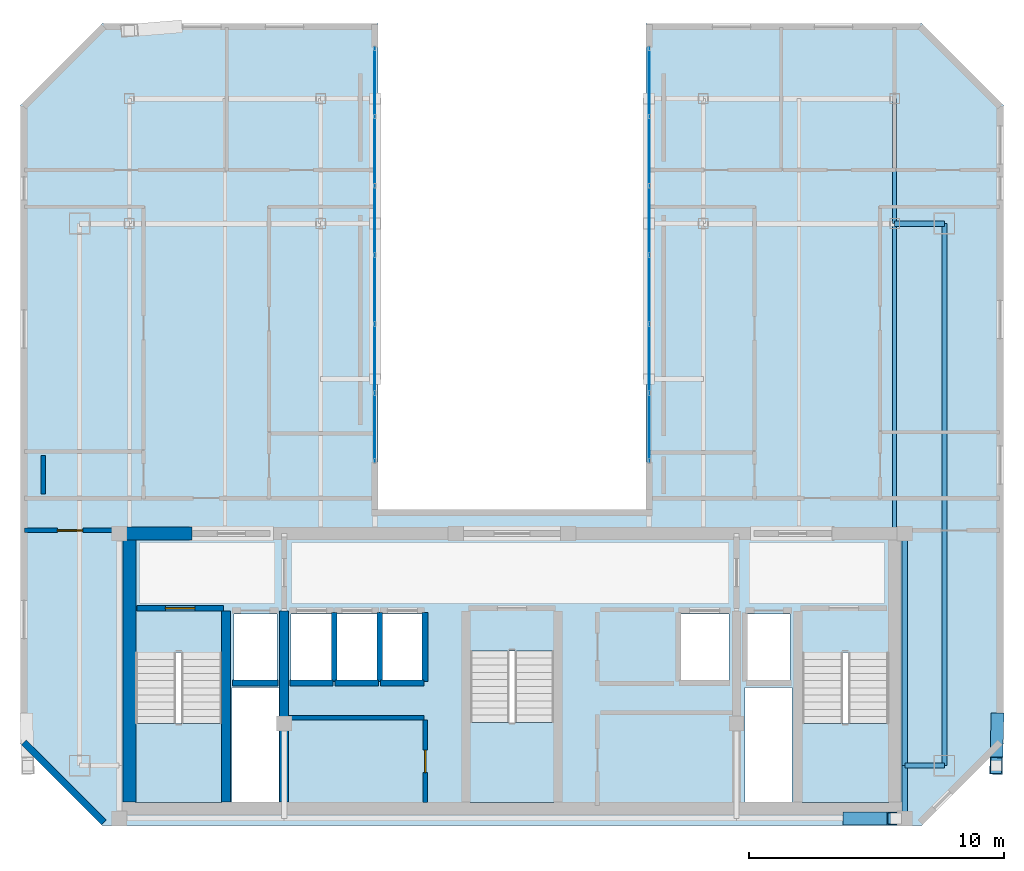
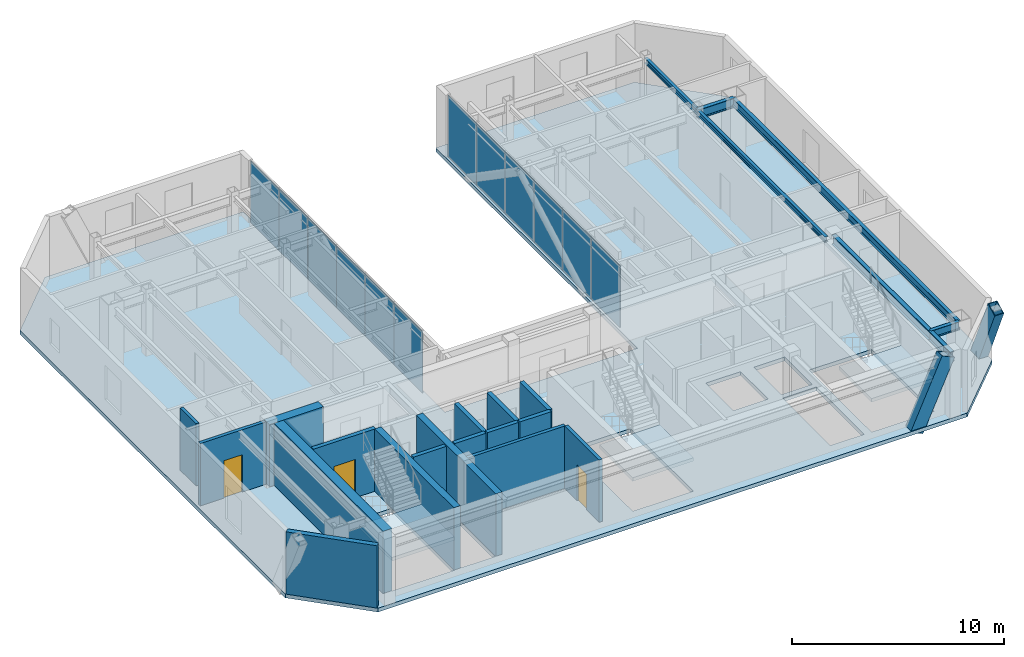
# One storey, part 14 of 19: 17 walls, 12 plates, 7 beams, 4 slabs, 3 doors, 2 members, 3 openings, 5 elements without a shape of their own.
"""IFC4 building model written with IfcOpenShell, lengths in metres."""

from ifc_helpers import new_model, si_unit, direction, frame, frame_2d, origin, origin_2d, place, context, subcontext, project, spatial, polyline, rectangle, hollow_rectangle, i_section, outline, extrude, material, layer, layer_set, material_profile, profile_set, type_object, element, fill, aggregate, save


model = new_model("IFC4")

# Units and contexts
model_context = context("Model", 3, precision=1e-05, world=origin(), true_north=direction((0.0, 1.0)))
body_context = subcontext(model_context, "Body", "Model", "MODEL_VIEW")
ifc_project = project(units=[si_unit("LENGTHUNIT", "METRE"), si_unit("AREAUNIT", "SQUARE_METRE"), si_unit("VOLUMEUNIT", "CUBIC_METRE"), si_unit("PLANEANGLEUNIT", "RADIAN"), si_unit("MASSUNIT", "GRAM", prefix="KILO")], contexts=[model_context])

# Site, building, storey
site_placement = place(None, origin())
site = spatial("IfcSite", under=ifc_project, at=site_placement, CompositionType="ELEMENT")
building_placement = place(site_placement, origin())
building = spatial("IfcBuilding", under=site, at=building_placement, Name="Ventersveld Concourse Tower", CompositionType="ELEMENT")
storey_placement = place(building_placement, frame((0.0, 0.0, 345.199951171875)))
storey = spatial("IfcBuildingStorey", under=building, at=storey_placement, Name="L85", CompositionType="ELEMENT", Elevation=345.199951171875)

# Beams
ifc_material_1 = material(Name="Structural steel S355J2", Category="steel")
ifc_material_profile_1 = material_profile(ifc_material_1, i_section(OverallWidth=0.1650390625, OverallDepth=0.303466796875, WebThickness=0.006103515625, FlangeThickness=0.01025390625, FilletRadius=0.0087890625, at=origin_2d()), Name="UB 305x165x40")
ifc_profile_set_1 = profile_set([ifc_material_profile_1], Name="Structural steel S355J2")
beam_type_1 = type_object("IfcBeamType", Name="BM-UB305", PredefinedType="BEAM", material=ifc_profile_set_1)
beam_1_placement = place(storey_placement, frame((43.75, 11.449951171875, 3.438232421875), z_axis=(0.0, 1.0, 0.0), x_axis=(-1.0, 0.0, 0.0)))
element("IfcBeam", 1, at=beam_1_placement, inside=storey, type_object=beam_type_1, Name="L85 N-S Composite Floor Beam South X=43.75", PredefinedType="BEAM", context=body_context, shape_type="SweptSolid", body=[
    extrude(i_section(OverallWidth=0.1650390625, OverallDepth=0.303466796875, WebThickness=0.006103515625, FlangeThickness=0.01025390625, FilletRadius=0.0087890625, at=origin_2d()), origin(), (0.0, 0.0, 1.0), 12.150146484375),
])
beam_2_placement = place(storey_placement, frame((43.75, 23.60009765625, 3.438232421875), z_axis=(0.0, 1.0, 0.0), x_axis=(-1.0, 0.0, 0.0)))
element("IfcBeam", 2, at=beam_2_placement, inside=storey, type_object=beam_type_1, Name="L85 N-S Upper-Zone Floor Beam X=43.75", PredefinedType="BEAM", context=body_context, shape_type="SweptSolid", body=[
    extrude(i_section(OverallWidth=0.1650390625, OverallDepth=0.303466796875, WebThickness=0.006103515625, FlangeThickness=0.01025390625, FilletRadius=0.0087890625, at=origin_2d()), origin(), (0.0, 0.0, 1.0), 4.89990234375),
])
ifc_material_profile_2 = material_profile(ifc_material_1, i_section(OverallWidth=0.209228515625, OverallDepth=0.533203125, WebThickness=0.010009765625, FlangeThickness=0.015625, FilletRadius=0.0126953125, at=origin_2d()), Name="UB 533x210x92")
ifc_profile_set_2 = profile_set([ifc_material_profile_2], Name="Structural steel S355J2")
beam_type_2 = type_object("IfcBeamType", Name="GRD-UB533", PredefinedType="T_BEAM", material=ifc_profile_set_2)
beam_3_placement = place(storey_placement, frame((43.75, 23.60009765625, 3.323486328125), z_axis=(1.0, 0.0, 0.0), x_axis=(0.0, 1.0, 0.0)))
element("IfcBeam", 3, at=beam_3_placement, inside=storey, type_object=beam_type_2, Name="L85 Primary E-W Grid Girder Y=23.60 #5", PredefinedType="T_BEAM", context=body_context, shape_type="SweptSolid", body=[
    extrude(i_section(OverallWidth=0.209228515625, OverallDepth=0.533203125, WebThickness=0.010009765625, FlangeThickness=0.015625, FilletRadius=0.0126953125, at=origin_2d()), origin(), (0.0, 0.0, 1.0), 1.949951171875),
])
ifc_material_profile_3 = material_profile(ifc_material_1, i_section(OverallWidth=0.2119140625, OverallDepth=0.54443359375, WebThickness=0.0126953125, FlangeThickness=0.021240234375, FilletRadius=0.0126953125, at=origin_2d()), Name="UB 533x210x122")
ifc_profile_set_3 = profile_set([ifc_material_profile_3], Name="Structural steel S355J2")
beam_type_3 = type_object("IfcBeamType", Name="GRD-UB533H", PredefinedType="T_BEAM", material=ifc_profile_set_3)
beam_4_placement = place(storey_placement, frame((44.14990234375, 0.280029296875, 3.31787109375), z_axis=(0.0, 1.0, 0.0), x_axis=(-1.0, 0.0, 0.0)))
element("IfcBeam", 4, at=beam_4_placement, inside=storey, type_object=beam_type_3, Name="L85 Core East Tie Beam S", PredefinedType="T_BEAM", context=body_context, shape_type="SweptSolid", body=[
    extrude(i_section(OverallWidth=0.2119140625, OverallDepth=0.54443359375, WebThickness=0.0126953125, FlangeThickness=0.021240234375, FilletRadius=0.0126953125, at=origin_2d()), origin(), (0.0, 0.0, 1.0), 2.070068359375),
])
beam_5_placement = place(storey_placement, frame((44.14990234375, 2.35009765625, 3.31787109375), z_axis=(0.0, 1.0, 0.0), x_axis=(-1.0, 0.0, 0.0)))
element("IfcBeam", 5, at=beam_5_placement, inside=storey, type_object=beam_type_3, Name="L85 Core East Tie Beam N", PredefinedType="T_BEAM", context=body_context, shape_type="SweptSolid", body=[
    extrude(i_section(OverallWidth=0.2119140625, OverallDepth=0.54443359375, WebThickness=0.0126953125, FlangeThickness=0.021240234375, FilletRadius=0.0126953125, at=origin_2d()), origin(), (0.0, 0.0, 1.0), 9.099853515625),
])

# Members
ifc_material_2 = material(Name="Structural steel S355ML", Category="steel")
ifc_material_profile_4 = material_profile(ifc_material_2, hollow_rectangle(XDim=0.5, YDim=0.75, WallThickness=0.034912109375, at=origin_2d()), Name="BOX 750x500x35")
ifc_profile_set_4 = profile_set([ifc_material_profile_4], Name="Structural steel S355ML")
member_type = type_object("IfcMemberType", Name="MB-750x500", PredefinedType="BRACE", material=ifc_profile_set_4)
member_1_placement = place(storey_placement, frame((42.076171875, 0.280029296875, -0.219970703125), z_axis=(0.412223254822, 0.0, 0.911082865706), x_axis=(0.0, 1.0, 0.0)))
element("IfcMember", 6, at=member_1_placement, inside=storey, type_object=member_type, Name="L85 Exterior Mega-Brace S (Module M20)", PredefinedType="BRACE", context=body_context, shape_type="SweptSolid", body=[
    extrude(hollow_rectangle(XDim=0.5, YDim=0.75, WallThickness=0.034912109375, at=origin_2d()), origin(), (0.0, 0.0, 1.0), 4.181884765625),
])
member_2_placement = place(storey_placement, frame((47.7783203125, 4.073974609375, -0.219970703125), z_axis=(-0.011675262949, -0.412195158425, 0.911020767934), x_axis=(0.99959909973, -0.028313244575, 0.0)))
element("IfcMember", 7, at=member_2_placement, inside=storey, type_object=member_type, Name="L85 Exterior Mega-Brace E (Module M20)", PredefinedType="BRACE", context=body_context, shape_type="SweptSolid", body=[
    extrude(hollow_rectangle(XDim=0.5, YDim=0.75, WallThickness=0.034912109375, at=origin_2d()), origin(), (0.0, 0.0, 1.0), 4.18212890625),
])

# Beams
ifc_material_profile_5 = material_profile(ifc_material_1, i_section(OverallWidth=0.19140625, OverallDepth=0.4599609375, WebThickness=0.010009765625, FlangeThickness=0.01611328125, FilletRadius=0.01025390625, at=origin_2d()), Name="UB 457x191x82")
ifc_profile_set_5 = profile_set([ifc_material_profile_5], Name="Structural steel S355J2")
beam_type_4 = type_object("IfcBeamType", Name="SPD-UB457", PredefinedType="SPANDREL", material=ifc_profile_set_5)
beam_6_placement = place(storey_placement, frame((44.14990234375, 2.35009765625, 3.360107421875), z_axis=(1.0, 0.0, 0.0), x_axis=(0.0, 1.0, 0.0)))
element("IfcBeam", 8, at=beam_6_placement, inside=storey, type_object=beam_type_4, Name="L85 SE Spandrel Beam", PredefinedType="SPANDREL", context=body_context, shape_type="SweptSolid", body=[
    extrude(i_section(OverallWidth=0.19140625, OverallDepth=0.4599609375, WebThickness=0.010009765625, FlangeThickness=0.01611328125, FilletRadius=0.01025390625, at=origin_2d()), origin(), (0.0, 0.0, 1.0), 1.550048828125),
])
beam_7_placement = place(storey_placement, frame((45.699951171875, 2.35009765625, 3.360107421875), z_axis=(0.0, 1.0, 0.0), x_axis=(-1.0, 0.0, 0.0)))
element("IfcBeam", 9, at=beam_7_placement, inside=storey, type_object=beam_type_4, Name="L85 East Spandrel Beam", PredefinedType="SPANDREL", context=body_context, shape_type="SweptSolid", body=[
    extrude(i_section(OverallWidth=0.19140625, OverallDepth=0.4599609375, WebThickness=0.010009765625, FlangeThickness=0.01611328125, FilletRadius=0.01025390625, at=origin_2d()), origin(), (0.0, 0.0, 1.0), 21.25),
])

# Curtain wall, plates
ifc_material_3 = material(Name="Anodised aluminium EN AW-6063-T6", Category="aluminium")
curtain_wall_type = type_object("IfcCurtainWallType", Name="CW-WP-5", PredefinedType="NOTDEFINED", material=ifc_material_3)
curtain_wall_1_placement = place(storey_placement, origin())
curtain_wall_1 = element("IfcCurtainWall", 10, at=curtain_wall_1_placement, inside=storey, type_object=curtain_wall_type, Name="L85 L85 Wind Portal Aerodynamic Cheek Curtain Wall", PredefinedType="NOTDEFINED")
ifc_material_4 = material(Name="Low-E double glazing IGU", Category="glass")
ifc_layer_1 = layer(ifc_material_4, 0.0380859375)
ifc_layer_set_1 = layer_set([ifc_layer_1], Name="Low-E double glazing IGU")
plate_type = type_object("IfcPlateType", Name="CWP-GLZ-38", PredefinedType="CURTAIN_PANEL", material=ifc_layer_set_1)
plate_1_placement = place(storey_placement, frame((34.1298828125, 15.6044921875, 0.02001953125), z_axis=(0.0, 0.0, 1.0), x_axis=(0.0, 1.0, 0.0)))
plate_1 = element("IfcPlate", 11, at=plate_1_placement, type_object=plate_type, Name="CW-L85-WP-E Glazed Panel 01-1", PredefinedType="CURTAIN_PANEL", context=body_context, shape_type="SweptSolid", body=[
    extrude(rectangle(XDim=2.69873046875, YDim=0.0380859375, at=origin_2d()), origin(), (0.0, 0.0, 1.0), 3.550048828125),
])
plate_2_placement = place(storey_placement, frame((34.1298828125, 18.31298828125, 0.02001953125), z_axis=(0.0, 0.0, 1.0), x_axis=(0.0, 1.0, 0.0)))
plate_2 = element("IfcPlate", 12, at=plate_2_placement, type_object=plate_type, Name="CW-L85-WP-E Glazed Panel 02-1", PredefinedType="CURTAIN_PANEL", context=body_context, shape_type="SweptSolid", body=[
    extrude(rectangle(XDim=2.69873046875, YDim=0.0380859375, at=origin_2d()), origin(), (0.0, 0.0, 1.0), 3.550048828125),
])
plate_3_placement = place(storey_placement, frame((34.1298828125, 21.02197265625, 0.02001953125), z_axis=(0.0, 0.0, 1.0), x_axis=(0.0, 1.0, 0.0)))
plate_3 = element("IfcPlate", 13, at=plate_3_placement, type_object=plate_type, Name="CW-L85-WP-E Glazed Panel 03-1", PredefinedType="CURTAIN_PANEL", context=body_context, shape_type="SweptSolid", body=[
    extrude(rectangle(XDim=2.69873046875, YDim=0.0380859375, at=origin_2d()), origin(), (0.0, 0.0, 1.0), 3.550048828125),
])
plate_4_placement = place(storey_placement, frame((34.1298828125, 23.730712890625, 0.02001953125), z_axis=(0.0, 0.0, 1.0), x_axis=(0.0, 1.0, 0.0)))
plate_4 = element("IfcPlate", 14, at=plate_4_placement, type_object=plate_type, Name="CW-L85-WP-E Glazed Panel 04-1", PredefinedType="CURTAIN_PANEL", context=body_context, shape_type="SweptSolid", body=[
    extrude(rectangle(XDim=2.69873046875, YDim=0.0380859375, at=origin_2d()), origin(), (0.0, 0.0, 1.0), 3.550048828125),
])
plate_5_placement = place(storey_placement, frame((34.1298828125, 26.439453125, 0.02001953125), z_axis=(0.0, 0.0, 1.0), x_axis=(0.0, 1.0, 0.0)))
plate_5 = element("IfcPlate", 15, at=plate_5_placement, type_object=plate_type, Name="CW-L85-WP-E Glazed Panel 05-1", PredefinedType="CURTAIN_PANEL", context=body_context, shape_type="SweptSolid", body=[
    extrude(rectangle(XDim=2.69873046875, YDim=0.0380859375, at=origin_2d()), origin(), (0.0, 0.0, 1.0), 3.550048828125),
])
plate_6_placement = place(storey_placement, frame((34.1298828125, 29.148193359375, 0.02001953125), z_axis=(0.0, 0.0, 1.0), x_axis=(0.0, 1.0, 0.0)))
plate_6 = element("IfcPlate", 16, at=plate_6_placement, type_object=plate_type, Name="CW-L85-WP-E Glazed Panel 06-1", PredefinedType="CURTAIN_PANEL", context=body_context, shape_type="SweptSolid", body=[
    extrude(rectangle(XDim=2.69873046875, YDim=0.0380859375, at=origin_2d()), origin(), (0.0, 0.0, 1.0), 3.550048828125),
])
aggregate(curtain_wall_1, [plate_1, plate_2, plate_3, plate_4, plate_5, plate_6])

curtain_wall_2_placement = place(storey_placement, origin())
curtain_wall_2 = element("IfcCurtainWall", 17, at=curtain_wall_2_placement, inside=storey, type_object=curtain_wall_type, Name="L85 L85 Wind Portal Aerodynamic Cheek Curtain Wall", PredefinedType="NOTDEFINED")
plate_7_placement = place(storey_placement, frame((23.3701171875, 15.6044921875, 0.02001953125), z_axis=(0.0, 0.0, 1.0), x_axis=(0.0, 1.0, 0.0)))
plate_7 = element("IfcPlate", 18, at=plate_7_placement, type_object=plate_type, Name="CW-L85-WP-W Glazed Panel 01-1", PredefinedType="CURTAIN_PANEL", context=body_context, shape_type="SweptSolid", body=[
    extrude(rectangle(XDim=2.69873046875, YDim=0.0380859375, at=origin_2d()), origin(), (0.0, 0.0, 1.0), 3.550048828125),
])
plate_8_placement = place(storey_placement, frame((23.3701171875, 18.31298828125, 0.02001953125), z_axis=(0.0, 0.0, 1.0), x_axis=(0.0, 1.0, 0.0)))
plate_8 = element("IfcPlate", 19, at=plate_8_placement, type_object=plate_type, Name="CW-L85-WP-W Glazed Panel 02-1", PredefinedType="CURTAIN_PANEL", context=body_context, shape_type="SweptSolid", body=[
    extrude(rectangle(XDim=2.69873046875, YDim=0.0380859375, at=origin_2d()), origin(), (0.0, 0.0, 1.0), 3.550048828125),
])
plate_9_placement = place(storey_placement, frame((23.3701171875, 21.02197265625, 0.02001953125), z_axis=(0.0, 0.0, 1.0), x_axis=(0.0, 1.0, 0.0)))
plate_9 = element("IfcPlate", 20, at=plate_9_placement, type_object=plate_type, Name="CW-L85-WP-W Glazed Panel 03-1", PredefinedType="CURTAIN_PANEL", context=body_context, shape_type="SweptSolid", body=[
    extrude(rectangle(XDim=2.69873046875, YDim=0.0380859375, at=origin_2d()), origin(), (0.0, 0.0, 1.0), 3.550048828125),
])
plate_10_placement = place(storey_placement, frame((23.3701171875, 23.730712890625, 0.02001953125), z_axis=(0.0, 0.0, 1.0), x_axis=(0.0, 1.0, 0.0)))
plate_10 = element("IfcPlate", 21, at=plate_10_placement, type_object=plate_type, Name="CW-L85-WP-W Glazed Panel 04-1", PredefinedType="CURTAIN_PANEL", context=body_context, shape_type="SweptSolid", body=[
    extrude(rectangle(XDim=2.69873046875, YDim=0.0380859375, at=origin_2d()), origin(), (0.0, 0.0, 1.0), 3.550048828125),
])
plate_11_placement = place(storey_placement, frame((23.3701171875, 26.439453125, 0.02001953125), z_axis=(0.0, 0.0, 1.0), x_axis=(0.0, 1.0, 0.0)))
plate_11 = element("IfcPlate", 22, at=plate_11_placement, type_object=plate_type, Name="CW-L85-WP-W Glazed Panel 05-1", PredefinedType="CURTAIN_PANEL", context=body_context, shape_type="SweptSolid", body=[
    extrude(rectangle(XDim=2.69873046875, YDim=0.0380859375, at=origin_2d()), origin(), (0.0, 0.0, 1.0), 3.550048828125),
])
plate_12_placement = place(storey_placement, frame((23.3701171875, 29.148193359375, 0.02001953125), z_axis=(0.0, 0.0, 1.0), x_axis=(0.0, 1.0, 0.0)))
plate_12 = element("IfcPlate", 23, at=plate_12_placement, type_object=plate_type, Name="CW-L85-WP-W Glazed Panel 06-1", PredefinedType="CURTAIN_PANEL", context=body_context, shape_type="SweptSolid", body=[
    extrude(rectangle(XDim=2.69873046875, YDim=0.0380859375, at=origin_2d()), origin(), (0.0, 0.0, 1.0), 3.550048828125),
])
aggregate(curtain_wall_2, [plate_7, plate_8, plate_9, plate_10, plate_11, plate_12])

# Slab
ifc_material_5 = material(Name="Concrete C50/60", Category="concrete")
ifc_layer_2 = layer(ifc_material_5, 0.219970703125)
ifc_layer_set_2 = layer_set([ifc_layer_2], Name="Concrete C50/60")
slab_type_1 = type_object("IfcSlabType", Name="SL-FLR-220", PredefinedType="FLOOR", material=ifc_layer_set_2)
slab_1_placement = place(storey_placement, frame((0.0, 0.0, -0.219970703125)))
element("IfcSlab", 24, at=slab_1_placement, inside=storey, type_object=slab_type_1, Name="L85 Composite Floor Slab", PredefinedType="FLOOR", context=body_context, shape_type="SweptSolid", body=[
    extrude(outline(polyline([(12.690673828125, 0.0), (44.809326171875, 0.0), (48.009521484375, 3.199951171875), (48.009521484375, 28.242431640625), (44.809326171875, 31.4423828125), (34.0, 31.4423828125), (34.0, 12.39990234375), (23.5, 12.39990234375), (23.5, 31.4423828125), (12.690673828125, 31.4423828125), (9.490478515625, 28.242431640625), (9.490478515625, 3.199951171875), (12.690673828125, 0.0)]), holes=[polyline([(13.97998046875, 6.794921875), (13.97998046875, 0.89990234375), (17.3798828125, 0.89990234375), (17.3798828125, 6.794921875), (13.97998046875, 6.794921875)]), polyline([(40.1201171875, 6.794921875), (40.1201171875, 0.89990234375), (43.52001953125, 0.89990234375), (43.52001953125, 6.794921875), (40.1201171875, 6.794921875)]), polyline([(27.10009765625, 6.844970703125), (27.10009765625, 0.89990234375), (30.39990234375, 0.89990234375), (30.39990234375, 6.844970703125), (27.10009765625, 6.844970703125)]), polyline([(17.85009765625, 5.699951171875), (19.530029296875, 5.699951171875), (19.530029296875, 8.300048828125), (17.85009765625, 8.300048828125), (17.85009765625, 5.699951171875)]), polyline([(37.969970703125, 5.699951171875), (39.64990234375, 5.699951171875), (39.64990234375, 8.300048828125), (37.969970703125, 8.300048828125), (37.969970703125, 5.699951171875)]), polyline([(35.35009765625, 5.699951171875), (37.25, 5.699951171875), (37.25, 8.300048828125), (35.35009765625, 8.300048828125), (35.35009765625, 5.699951171875)]), polyline([(20.090087890625, 5.699951171875), (21.68994140625, 5.699951171875), (21.68994140625, 8.300048828125), (20.090087890625, 8.300048828125), (20.090087890625, 5.699951171875)]), polyline([(21.8701171875, 5.699951171875), (23.469970703125, 5.699951171875), (23.469970703125, 8.300048828125), (21.8701171875, 8.300048828125), (21.8701171875, 5.699951171875)]), polyline([(23.64990234375, 5.699951171875), (25.25, 5.699951171875), (25.25, 8.300048828125), (23.64990234375, 8.300048828125), (23.64990234375, 5.699951171875)]), polyline([(17.780029296875, 0.919921875), (19.6201171875, 0.919921875), (19.6201171875, 5.419921875), (17.780029296875, 5.419921875), (17.780029296875, 0.919921875)]), polyline([(37.8798828125, 0.919921875), (39.719970703125, 0.919921875), (39.719970703125, 5.419921875), (37.8798828125, 5.419921875), (37.8798828125, 0.919921875)])]), origin(), (0.0, 0.0, 1.0), 0.219970703125),
])

# Stair, slab
stair_type_1 = type_object("IfcStairType", Name="ST-DOG-160", PredefinedType="HALF_TURN_STAIR", material=ifc_material_5)
stair_1_placement = place(storey_placement, origin())
stair_1 = element("IfcStair", 25, at=stair_1_placement, inside=storey, type_object=stair_type_1, Name="L85 Protected Tower Escape Stair ST-01", PredefinedType="HALF_TURN_STAIR")
ifc_layer_3 = layer(ifc_material_5, 0.199951171875)
ifc_layer_set_3 = layer_set([ifc_layer_3], Name="Concrete C50/60")
slab_type_2 = type_object("IfcSlabType", Name="SL-LND-200", PredefinedType="LANDING", material=ifc_layer_set_3)
slab_2_placement = place(storey_placement, frame((0.0, 0.0, 1.72509765625)))
slab_2 = element("IfcSlab", 26, at=slab_2_placement, type_object=slab_type_2, Name="ST-01 landing 1", PredefinedType="LANDING", context=body_context, shape_type="SweptSolid", body=[
    extrude(outline(polyline([(13.97998046875, 4.0), (13.97998046875, 0.89990234375), (17.3798828125, 0.89990234375), (17.3798828125, 4.0), (13.97998046875, 4.0)])), origin(), (0.0, 0.0, 1.0), 0.199951171875),
])
aggregate(stair_1, [slab_2])

stair_2_placement = place(storey_placement, origin())
stair_2 = element("IfcStair", 27, at=stair_2_placement, inside=storey, type_object=stair_type_1, Name="L85 Protected Tower Escape Stair ST-02", PredefinedType="HALF_TURN_STAIR")
slab_3_placement = place(storey_placement, frame((0.0, 0.0, 1.72509765625)))
slab_3 = element("IfcSlab", 28, at=slab_3_placement, type_object=slab_type_2, Name="ST-02 landing 1", PredefinedType="LANDING", context=body_context, shape_type="SweptSolid", body=[
    extrude(outline(polyline([(40.1201171875, 4.0), (40.1201171875, 0.89990234375), (43.52001953125, 0.89990234375), (43.52001953125, 4.0), (40.1201171875, 4.0)])), origin(), (0.0, 0.0, 1.0), 0.199951171875),
])
aggregate(stair_2, [slab_3])

stair_type_2 = type_object("IfcStairType", Name="ST-DOG-155", PredefinedType="HALF_TURN_STAIR", material=ifc_material_5)
stair_3_placement = place(storey_placement, origin())
stair_3 = element("IfcStair", 29, at=stair_3_placement, inside=storey, type_object=stair_type_2, Name="L85 Protected Central Core Escape Stair ST-03", PredefinedType="HALF_TURN_STAIR")
slab_4_placement = place(storey_placement, frame((0.0, 0.0, 1.72509765625)))
slab_4 = element("IfcSlab", 30, at=slab_4_placement, type_object=slab_type_2, Name="ST-03 landing 1", PredefinedType="LANDING", context=body_context, shape_type="SweptSolid", body=[
    extrude(outline(polyline([(27.10009765625, 4.050048828125), (27.10009765625, 0.89990234375), (30.39990234375, 0.89990234375), (30.39990234375, 4.050048828125), (27.10009765625, 4.050048828125)])), origin(), (0.0, 0.0, 1.0), 0.199951171875),
])
aggregate(stair_3, [slab_4])

# Walls
ifc_layer_4 = layer(ifc_material_5, 0.35009765625)
ifc_layer_set_4 = layer_set([ifc_layer_4], Name="Concrete C50/60")
wall_type_1 = type_object("IfcWallType", Name="WL-CORE-350U", PredefinedType="SHEAR", material=ifc_layer_set_4)
for number, where, z_axis, x_axis, name in (
    (31, (17.5400390625, 0.919921875, 0.0), (0.0, 0.0, 1.0), (0.0, 1.0, 0.0), "L85 Core Internal Shear Web W-ST1-E"),
    (32, (19.820068359375, 0.919921875, 0.0), (0.0, 0.0, 1.0), (0.0, 1.0, 0.0), "L85 Core Internal Shear Web W-FF1-E"),
):
    element("IfcWall", number, at=place(storey_placement, frame(where, z_axis=z_axis, x_axis=x_axis)), inside=storey, type_object=wall_type_1, Name=name, PredefinedType="SHEAR", context=body_context, shape_type="SweptSolid", body=[
        extrude(rectangle(XDim=7.5, YDim=0.35009765625, at=frame_2d((3.75, 0.0))), origin(), (0.0, 0.0, 1.0), 3.590087890625),
    ])
ifc_layer_5 = layer(ifc_material_5, 0.5)
ifc_layer_set_5 = layer_set([ifc_layer_5], Name="Concrete C50/60")
wall_type_2 = type_object("IfcWallType", Name="WL-CORE-500", PredefinedType="SHEAR", material=ifc_layer_set_5)
wall_1_placement = place(storey_placement, frame((13.75, 0.919921875, 0.0), z_axis=(0.0, 0.0, 1.0), x_axis=(0.0, 1.0, 0.0)))
element("IfcWall", 33, at=wall_1_placement, inside=storey, type_object=wall_type_2, Name="L85 Rear Core West Shear Wall", PredefinedType="SHEAR", context=body_context, shape_type="SweptSolid", body=[
    extrude(rectangle(XDim=10.530029296875, YDim=0.5, at=frame_2d((5.26513671875, 0.0))), origin(), (0.0, 0.0, 1.0), 3.590087890625),
])
wall_2_placement = place(storey_placement, frame((13.25, 11.449951171875, 0.0), z_axis=(0.0, 0.0, 1.0), x_axis=(1.0, 0.0, 0.0)))
element("IfcWall", 34, at=wall_2_placement, inside=storey, type_object=wall_type_2, Name="L85 Rear Core North Shear Wall NW", PredefinedType="SHEAR", context=body_context, shape_type="SweptSolid", body=[
    extrude(rectangle(XDim=2.949951171875, YDim=0.5, at=frame_2d((1.47509765625, 0.0))), origin(), (0.0, 0.0, 1.0), 3.590087890625),
])

# Wall, opening, door
ifc_material_6 = material(Name="Fire-rated autoclaved aerated masonry blockwork", Category="masonry")
ifc_layer_6 = layer(ifc_material_6, 0.179931640625)
ifc_layer_set_6 = layer_set([ifc_layer_6], Name="Fire-rated autoclaved aerated masonry blockwork")
wall_type_3 = type_object("IfcWallType", Name="WL-CORR-180", PredefinedType="PARTITIONING", material=ifc_layer_set_6)
wall_3_placement = place(storey_placement, frame((25.35009765625, 0.89990234375, 0.0), z_axis=(0.0, 0.0, 1.0), x_axis=(0.0, 1.0, 0.0)))
wall_3 = element("IfcWall", 35, at=wall_3_placement, inside=storey, type_object=wall_type_3, Name="L85 Core Passage Wall SP-L85-RECB1A", PredefinedType="PARTITIONING", context=body_context, shape_type="SweptSolid", body=[
    extrude(rectangle(XDim=3.239990234375, YDim=0.179931640625, at=frame_2d((1.6201171875, 0.0))), origin(), (0.0, 0.0, 1.0), 3.590087890625),
])
opening_1_placement = place(wall_3_placement, frame((1.179931640625, 0.0, 0.0)))
opening_1 = element("IfcOpeningElement", 36, at=opening_1_placement, cuts=wall_3, Name="Opening FD5", PredefinedType="OPENING", context=body_context, shape_type="SweptSolid", body=[
    extrude(rectangle(XDim=0.8798828125, YDim=2.050048828125, at=frame_2d((0.43994140625, 1.02490234375))), frame((0.0, 0.10009765625, 0.0), z_axis=(0.0, -1.0, 0.0), x_axis=(1.0, 0.0, 0.0)), (0.0, 0.0, 1.0), 0.199951171875),
])
ifc_material_7 = material(Name="Galvanised painted steel", Category="steel")
door_type_1 = type_object("IfcDoorType", Name="DR-RISER-088", OperationType="NOTDEFINED", PredefinedType="DOOR", material=ifc_material_7)
door_1_placement = place(opening_1_placement, origin())
door_1 = element("IfcDoor", 37, at=door_1_placement, inside=storey, type_object=door_type_1, Name="L85 Core Room Door L85 Reclaimed Core Quiet Study Pod (CD-L85-3808)", OperationType="SINGLE_SWING_LEFT", OverallHeight=2.050048828125, OverallWidth=0.8798828125, PredefinedType="DOOR", context=body_context, shape_type="SweptSolid", body=[
    extrude(rectangle(XDim=0.8798828125, YDim=2.050048828125, at=frame_2d((0.43994140625, 1.02490234375))), frame((0.0, 0.02490234375, 0.0), z_axis=(0.0, -1.0, 0.0), x_axis=(1.0, 0.0, 0.0)), (0.0, 0.0, 1.0), 0.050048828125),
])
fill(opening_1, door_1)

# Wall
wall_4_placement = place(storey_placement, frame((19.97998046875, 4.22998046875, 0.0), z_axis=(0.0, 0.0, 1.0), x_axis=(1.0, 0.0, 0.0)))
element("IfcWall", 38, at=wall_4_placement, inside=storey, type_object=wall_type_3, Name="L85 Core Top Wall SP-L85-RECB1A", PredefinedType="PARTITIONING", context=body_context, shape_type="SweptSolid", body=[
    extrude(rectangle(XDim=5.320068359375, YDim=0.179931640625, at=frame_2d((2.66015625, 0.0))), origin(), (0.0, 0.0, 1.0), 3.590087890625),
])

# Wall, opening, door
wall_5_placement = place(storey_placement, frame((9.64013671875, 11.570068359375, 0.0), z_axis=(0.0, 0.0, 1.0), x_axis=(1.0, 0.0, 0.0)))
wall_5 = element("IfcWall", 39, at=wall_5_placement, inside=storey, type_object=wall_type_3, Name="L85 Interior Partition SP-L85-COR-W-SP-L85-SWSTU", PredefinedType="PARTITIONING", context=body_context, shape_type="SweptSolid", body=[
    extrude(rectangle(XDim=3.574951171875, YDim=0.179931640625, at=frame_2d((1.78759765625, 0.0))), origin(), (0.0, 0.0, 1.0), 3.590087890625),
])
opening_2_placement = place(wall_5_placement, frame((1.287353515625, 0.0, 0.0)))
opening_2 = element("IfcOpeningElement", 40, at=opening_2_placement, cuts=wall_5, Name="Opening FD3", PredefinedType="OPENING", context=body_context, shape_type="SweptSolid", body=[
    extrude(rectangle(XDim=1.0, YDim=2.14990234375, at=frame_2d((0.5, 1.074951171875))), frame((0.0, 0.10009765625, 0.0), z_axis=(0.0, -1.0, 0.0), x_axis=(1.0, 0.0, 0.0)), (0.0, 0.0, 1.0), 0.199951171875),
])
ifc_material_8 = material(Name="Solid-core hardwood veneer timber", Category="wood")
door_type_2 = type_object("IfcDoorType", Name="DR-FLAT-100", OperationType="NOTDEFINED", PredefinedType="DOOR", material=ifc_material_8)
door_2_placement = place(opening_2_placement, origin())
door_2 = element("IfcDoor", 41, at=door_2_placement, inside=storey, type_object=door_type_2, Name="L85 Interior Door SP-L85-COR-W to SP-L85-SWSTU (D-L85-3811)", OperationType="SINGLE_SWING_LEFT", OverallHeight=2.14990234375, OverallWidth=1.0, PredefinedType="DOOR", context=body_context, shape_type="SweptSolid", body=[
    extrude(rectangle(XDim=1.0, YDim=2.14990234375, at=frame_2d((0.5, 1.074951171875))), frame((0.0, 0.02490234375, 0.0), z_axis=(0.0, -1.0, 0.0), x_axis=(1.0, 0.0, 0.0)), (0.0, 0.0, 1.0), 0.050048828125),
])
fill(opening_2, door_2)

# Walls
ifc_layer_7 = layer(ifc_material_6, 0.219970703125)
ifc_layer_set_7 = layer_set([ifc_layer_7], Name="Fire-rated autoclaved aerated masonry blockwork")
wall_type_4 = type_object("IfcWallType", Name="WL-HOIST-220", PredefinedType="SOLIDWALL", material=ifc_layer_set_7)
wall_6_placement = place(storey_placement, frame((17.800048828125, 5.590087890625, 0.0), z_axis=(0.0, 0.0, 1.0), x_axis=(1.0, 0.0, 0.0)))
element("IfcWall", 42, at=wall_6_placement, inside=storey, type_object=wall_type_4, Name="L85 Lift Hoistway Back Wall FFL-01", PredefinedType="SOLIDWALL", context=body_context, shape_type="SweptSolid", body=[
    extrude(rectangle(XDim=1.780029296875, YDim=0.219970703125, at=frame_2d((0.89013671875, 0.0))), origin(), (0.0, 0.0, 1.0), 3.590087890625),
])
wall_7_placement = place(storey_placement, frame((20.0400390625, 5.590087890625, 0.0), z_axis=(0.0, 0.0, 1.0), x_axis=(1.0, 0.0, 0.0)))
element("IfcWall", 43, at=wall_7_placement, inside=storey, type_object=wall_type_4, Name="L85 Lift Hoistway Back Wall PH-01", PredefinedType="SOLIDWALL", context=body_context, shape_type="SweptSolid", body=[
    extrude(rectangle(XDim=1.699951171875, YDim=0.219970703125, at=frame_2d((0.85009765625, 0.0))), origin(), (0.0, 0.0, 1.0), 3.590087890625),
])
wall_8_placement = place(storey_placement, frame((21.780029296875, 5.64990234375, 0.0), z_axis=(0.0, 0.0, 1.0), x_axis=(0.0, 1.0, 0.0)))
element("IfcWall", 44, at=wall_8_placement, inside=storey, type_object=wall_type_4, Name="L85 Lift Hoistway Side Wall PH-01E", PredefinedType="SOLIDWALL", context=body_context, shape_type="SweptSolid", body=[
    extrude(rectangle(XDim=2.7001953125, YDim=0.219970703125, at=frame_2d((1.35009765625, 0.0))), origin(), (0.0, 0.0, 1.0), 3.590087890625),
])
wall_9_placement = place(storey_placement, frame((21.820068359375, 5.590087890625, 0.0), z_axis=(0.0, 0.0, 1.0), x_axis=(1.0, 0.0, 0.0)))
element("IfcWall", 45, at=wall_9_placement, inside=storey, type_object=wall_type_4, Name="L85 Lift Hoistway Back Wall PH-02", PredefinedType="SOLIDWALL", context=body_context, shape_type="SweptSolid", body=[
    extrude(rectangle(XDim=1.699951171875, YDim=0.219970703125, at=frame_2d((0.85009765625, 0.0))), origin(), (0.0, 0.0, 1.0), 3.590087890625),
])
wall_10_placement = place(storey_placement, frame((23.56005859375, 5.64990234375, 0.0), z_axis=(0.0, 0.0, 1.0), x_axis=(0.0, 1.0, 0.0)))
element("IfcWall", 46, at=wall_10_placement, inside=storey, type_object=wall_type_4, Name="L85 Lift Hoistway Side Wall PH-02E", PredefinedType="SOLIDWALL", context=body_context, shape_type="SweptSolid", body=[
    extrude(rectangle(XDim=2.7001953125, YDim=0.219970703125, at=frame_2d((1.35009765625, 0.0))), origin(), (0.0, 0.0, 1.0), 3.590087890625),
])
wall_11_placement = place(storey_placement, frame((23.60009765625, 5.590087890625, 0.0), z_axis=(0.0, 0.0, 1.0), x_axis=(1.0, 0.0, 0.0)))
element("IfcWall", 47, at=wall_11_placement, inside=storey, type_object=wall_type_4, Name="L85 Lift Hoistway Back Wall PH-03", PredefinedType="SOLIDWALL", context=body_context, shape_type="SweptSolid", body=[
    extrude(rectangle(XDim=1.699951171875, YDim=0.219970703125, at=frame_2d((0.85009765625, 0.0))), origin(), (0.0, 0.0, 1.0), 3.590087890625),
])
wall_12_placement = place(storey_placement, frame((25.340087890625, 5.64990234375, 0.0), z_axis=(0.0, 0.0, 1.0), x_axis=(0.0, 1.0, 0.0)))
element("IfcWall", 48, at=wall_12_placement, inside=storey, type_object=wall_type_4, Name="L85 Lift Hoistway Side Wall PH-03E", PredefinedType="SOLIDWALL", context=body_context, shape_type="SweptSolid", body=[
    extrude(rectangle(XDim=2.7001953125, YDim=0.219970703125, at=frame_2d((1.35009765625, 0.0))), origin(), (0.0, 0.0, 1.0), 3.590087890625),
])

# Wall, opening, door
wall_13_placement = place(storey_placement, frame((14.0400390625, 8.52001953125, 0.0), z_axis=(0.0, 0.0, 1.0), x_axis=(1.0, 0.0, 0.0)))
wall_13 = element("IfcWall", 49, at=wall_13_placement, inside=storey, type_object=wall_type_4, Name="L85 Escape Stair ST01 Fire Wall", PredefinedType="SOLIDWALL", context=body_context, shape_type="SweptSolid", body=[
    extrude(rectangle(XDim=3.39990234375, YDim=0.219970703125, at=frame_2d((1.699951171875, 0.0))), origin(), (0.0, 0.0, 1.0), 3.590087890625),
])
opening_3_placement = place(wall_13_placement, frame((1.125, 0.0, 0.0)))
opening_3 = element("IfcOpeningElement", 50, at=opening_3_placement, cuts=wall_13, Name="Opening FD1", PredefinedType="OPENING", context=body_context, shape_type="SweptSolid", body=[
    extrude(rectangle(XDim=1.14990234375, YDim=2.199951171875, at=frame_2d((0.574951171875, 1.10009765625))), frame((0.0, 0.1201171875, 0.0), z_axis=(0.0, -1.0, 0.0), x_axis=(1.0, 0.0, 0.0)), (0.0, 0.0, 1.0), 0.239990234375),
])
door_type_3 = type_object("IfcDoorType", Name="DR-STAIR-115", OperationType="NOTDEFINED", PredefinedType="DOOR", material=ifc_material_7)
door_3_placement = place(opening_3_placement, origin())
door_3 = element("IfcDoor", 51, at=door_3_placement, inside=storey, type_object=door_type_3, Name="L85 Escape Stair Door ST01 (SD-L85-3800)", OperationType="SINGLE_SWING_LEFT", OverallHeight=2.199951171875, OverallWidth=1.14990234375, PredefinedType="DOOR", context=body_context, shape_type="SweptSolid", body=[
    extrude(rectangle(XDim=1.14990234375, YDim=2.199951171875, at=frame_2d((0.574951171875, 1.10009765625))), frame((0.0, 0.02490234375, 0.0), z_axis=(0.0, -1.0, 0.0), x_axis=(1.0, 0.0, 0.0)), (0.0, 0.0, 1.0), 0.050048828125),
])
fill(opening_3, door_3)

# Walls
ifc_material_9 = material(Name="Precast concrete C45/55", Category="concrete")
ifc_layer_8 = layer(ifc_material_9, 0.260009765625)
ifc_layer_set_8 = layer_set([ifc_layer_8], Name="Precast concrete C45/55")
wall_type_5 = type_object("IfcWallType", Name="WL-PREC-260", PredefinedType="SOLIDWALL", material=ifc_layer_set_8)
wall_14_placement = place(storey_placement, frame((9.61083984375, 3.263671875, 0.0), z_axis=(0.0, 0.0, 1.0), x_axis=(0.707079321262, -0.707134240044, 0.0)))
element("IfcWall", 52, at=wall_14_placement, inside=storey, type_object=wall_type_5, Name="L85 Highveld Precast Facade Wall E12", PredefinedType="SOLIDWALL", context=body_context, shape_type="SweptSolid", body=[
    extrude(rectangle(XDim=4.445556640625, YDim=0.260009765625, at=frame_2d((2.22265625, 0.0))), origin(), (0.0, 0.0, 1.0), 3.590087890625),
])
ifc_material_10 = material(Name="Autoclaved aerated masonry blockwork", Category="masonry")
ifc_layer_9 = layer(ifc_material_10, 0.1650390625)
ifc_layer_set_9 = layer_set([ifc_layer_9], Name="Autoclaved aerated masonry blockwork")
wall_type_6 = type_object("IfcWallType", Name="WL-WET-165", PredefinedType="PLUMBINGWALL", material=ifc_layer_set_9)
wall_15_placement = place(storey_placement, frame((10.37060546875, 13.0048828125, 0.0), z_axis=(0.0, 0.0, 1.0), x_axis=(0.0, 1.0, 0.0)))
element("IfcWall", 53, at=wall_15_placement, inside=storey, type_object=wall_type_6, Name="L85 Room Enclosure Wall SP-L85-85WA-BATH", PredefinedType="PLUMBINGWALL", context=body_context, shape_type="SweptSolid", body=[
    extrude(rectangle(XDim=1.4951171875, YDim=0.1650390625, at=frame_2d((0.74755859375, 0.0))), origin(), (0.0, 0.0, 1.0), 3.590087890625),
])

save(model, "model.ifc")
